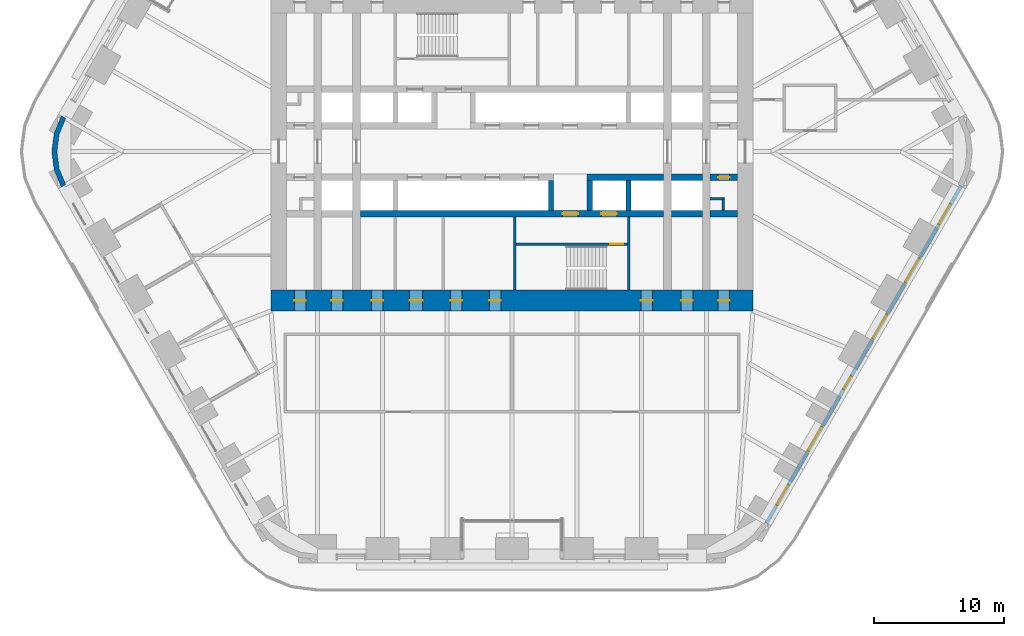
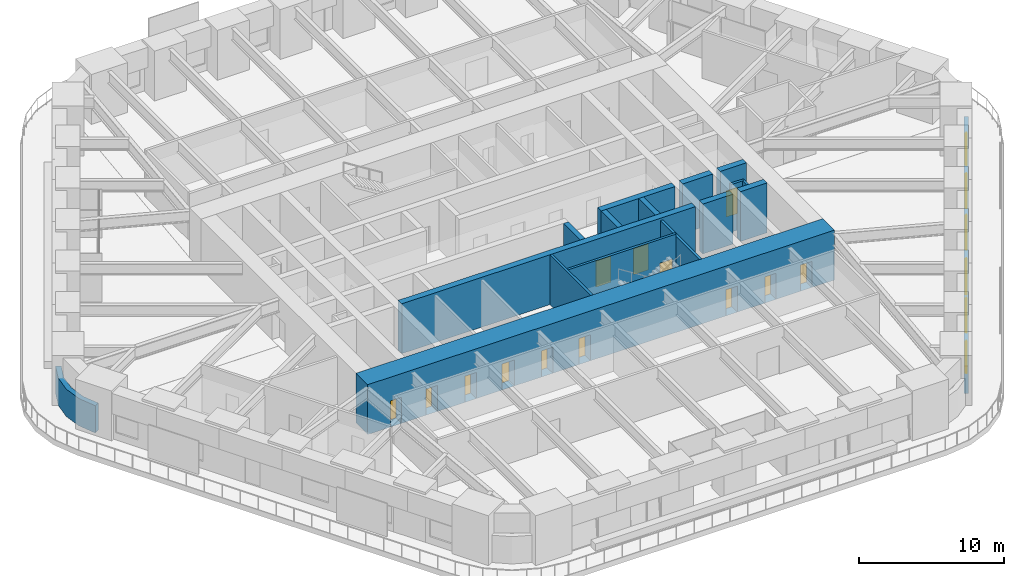
# One storey, part 18 of 24: 17 walls, 14 doors, 5 windows, 19 openings.
"""IFC4 building model written with IfcOpenShell, lengths in metres."""

from ifc_helpers import new_model, si_unit, direction, frame, frame_2d, origin, place, context, subcontext, project, spatial, polyline, rectangle, outline, extrude, material, layer, layer_set, type_object, element, fill, save


model = new_model("IFC4")

# Units and contexts
model_context = context("Model", 3, precision=1e-05, world=origin(), true_north=direction((0.0, 1.0)))
body_context = subcontext(model_context, "Body", "Model", "MODEL_VIEW")
ifc_project = project(units=[si_unit("LENGTHUNIT", "METRE"), si_unit("AREAUNIT", "SQUARE_METRE"), si_unit("VOLUMEUNIT", "CUBIC_METRE"), si_unit("PLANEANGLEUNIT", "RADIAN"), si_unit("MASSUNIT", "GRAM", prefix="KILO")], contexts=[model_context])

# Site, building, storey
site_placement = place(None, origin())
site = spatial("IfcSite", under=ifc_project, at=site_placement, CompositionType="ELEMENT")
building_placement = place(site_placement, origin())
building = spatial("IfcBuilding", under=site, at=building_placement, Name="Tarfa Lantern Tower", CompositionType="ELEMENT")
storey_placement = place(building_placement, frame((0.0, 0.0, 119.5)))
storey = spatial("IfcBuildingStorey", under=building, at=storey_placement, Name="L26", CompositionType="ELEMENT", Elevation=119.5)

# Wall, openings, door, windows
ifc_material_1 = material(Name="Limestone cladding on blockwork", Category="masonry")
ifc_layer_1 = layer(ifc_material_1, 0.300048828125)
ifc_layer_set_1 = layer_set([ifc_layer_1], Name="EW1 STONE-CLAD WALL 300")
wall_type_1 = type_object("IfcWallType", Name="EW1 STONE-CLAD WALL 300", PredefinedType="SOLIDWALL", material=ifc_layer_set_1)
wall_1_placement = place(storey_placement, frame((19.644287109375, -28.675048828125, 0.0), z_axis=(0.0, 0.0, 1.0), x_axis=(0.500003084452, 0.866023622968, 0.0)))
wall_1 = element("IfcWall", 1, at=wall_1_placement, inside=storey, type_object=wall_type_1, Name="Stone wall SE", PredefinedType="SOLIDWALL", context=body_context, shape_type="SweptSolid", body=[
    extrude(rectangle(XDim=30.022216796875, YDim=0.300048828125, at=frame_2d((15.01123046875, 0.0))), origin(), (0.0, 0.0, 1.0), 2.300048828125),
])
opening_1_placement = place(wall_1_placement, frame((1.601806640625, 0.0, 0.60009765625)))
opening_1 = element("IfcOpeningElement", 2, at=opening_1_placement, cuts=wall_1, Name="Opening W6", PredefinedType="OPENING", context=body_context, shape_type="SweptSolid", body=[
    extrude(rectangle(XDim=1.800048828125, YDim=1.449951171875, at=frame_2d((0.89990234375, 0.72509765625))), frame((0.0, 0.159912109375, 0.0), z_axis=(0.0, -1.0, 0.0), x_axis=(1.0, 0.0, 0.0)), (0.0, 0.0, 1.0), 0.320068359375),
])
opening_2_placement = place(wall_1_placement, frame((6.4306640625, 0.0, 0.60009765625)))
opening_2 = element("IfcOpeningElement", 3, at=opening_2_placement, cuts=wall_1, Name="Opening W7", PredefinedType="OPENING", context=body_context, shape_type="SweptSolid", body=[
    extrude(rectangle(XDim=2.14990234375, YDim=1.449951171875, at=frame_2d((1.074951171875, 0.72509765625))), frame((0.0, 0.159912109375, 0.0), z_axis=(0.0, -1.0, 0.0), x_axis=(1.0, 0.0, 0.0)), (0.0, 0.0, 1.0), 0.320068359375),
])
opening_3_placement = place(wall_1_placement, frame((11.9091796875, 0.0, 0.0)))
opening_3 = element("IfcOpeningElement", 4, at=opening_3_placement, cuts=wall_1, Name="Opening D44", PredefinedType="OPENING", context=body_context, shape_type="SweptSolid", body=[
    extrude(rectangle(XDim=1.199951171875, YDim=2.199951171875, at=frame_2d((0.60009765625, 1.10009765625))), frame((0.0, 0.159912109375, 0.0), z_axis=(0.0, -1.0, 0.0), x_axis=(1.0, 0.0, 0.0)), (0.0, 0.0, 1.0), 0.320068359375),
])
opening_4_placement = place(wall_1_placement, frame((16.43798828125, 0.0, 0.60009765625)))
opening_4 = element("IfcOpeningElement", 5, at=opening_4_placement, cuts=wall_1, Name="Opening W7", PredefinedType="OPENING", context=body_context, shape_type="SweptSolid", body=[
    extrude(rectangle(XDim=2.14990234375, YDim=1.449951171875, at=frame_2d((1.074951171875, 0.72509765625))), frame((0.0, 0.159912109375, 0.0), z_axis=(0.0, -1.0, 0.0), x_axis=(1.0, 0.0, 0.0)), (0.0, 0.0, 1.0), 0.320068359375),
])
opening_5_placement = place(wall_1_placement, frame((21.441650390625, 0.0, 0.60009765625)))
opening_5 = element("IfcOpeningElement", 6, at=opening_5_placement, cuts=wall_1, Name="Opening W7", PredefinedType="OPENING", context=body_context, shape_type="SweptSolid", body=[
    extrude(rectangle(XDim=2.14990234375, YDim=1.449951171875, at=frame_2d((1.074951171875, 0.72509765625))), frame((0.0, 0.159912109375, 0.0), z_axis=(0.0, -1.0, 0.0), x_axis=(1.0, 0.0, 0.0)), (0.0, 0.0, 1.0), 0.320068359375),
])
opening_6_placement = place(wall_1_placement, frame((26.620361328125, 0.0, 0.60009765625)))
opening_6 = element("IfcOpeningElement", 7, at=opening_6_placement, cuts=wall_1, Name="Opening W6", PredefinedType="OPENING", context=body_context, shape_type="SweptSolid", body=[
    extrude(rectangle(XDim=1.800048828125, YDim=1.449951171875, at=frame_2d((0.89990234375, 0.72509765625))), frame((0.0, 0.159912109375, 0.0), z_axis=(0.0, -1.0, 0.0), x_axis=(1.0, 0.0, 0.0)), (0.0, 0.0, 1.0), 0.320068359375),
])
ifc_material_2 = material(Name="Aluminium framed glazed door", Category="aluminium")
door_type_1 = type_object("IfcDoorType", Name="BE5 BALCONY DOOR 1200x2200", OperationType="SINGLE_SWING_RIGHT", PredefinedType="DOOR", material=ifc_material_2)
door_1_placement = place(opening_3_placement, origin())
door_1 = element("IfcDoor", 8, at=door_1_placement, inside=storey, type_object=door_type_1, Name="Balcony door SE", OperationType="SINGLE_SWING_RIGHT", OverallHeight=2.199951171875, OverallWidth=1.199951171875, PredefinedType="DOOR", context=body_context, shape_type="SweptSolid", body=[
    extrude(rectangle(XDim=1.199951171875, YDim=2.199951171875, at=frame_2d((0.60009765625, 1.10009765625))), frame((0.0, 0.02490234375, 0.0), z_axis=(0.0, -1.0, 0.0), x_axis=(1.0, 0.0, 0.0)), (0.0, 0.0, 1.0), 0.050048828125),
])
fill(opening_3, door_1)
ifc_material_3 = material(Name="Aluminium frame, double glazed", Category="aluminium")
window_type_1 = type_object("IfcWindowType", Name="W6 FULL-HEIGHT GLAZING 1800x1450", PartitioningType="SINGLE_PANEL", PredefinedType="WINDOW", material=ifc_material_3)
window_1_placement = place(opening_1_placement, origin())
window_1 = element("IfcWindow", 9, at=window_1_placement, inside=storey, type_object=window_type_1, Name="Window SE 1", OverallHeight=1.449951171875, OverallWidth=1.800048828125, PartitioningType="SINGLE_PANEL", PredefinedType="WINDOW", context=body_context, shape_type="SweptSolid", body=[
    extrude(rectangle(XDim=1.800048828125, YDim=1.449951171875, at=frame_2d((0.89990234375, 0.72509765625))), frame((0.0, 0.030029296875, 0.0), z_axis=(0.0, -1.0, 0.0), x_axis=(1.0, 0.0, 0.0)), (0.0, 0.0, 1.0), 0.06005859375),
])
fill(opening_1, window_1)
window_2_placement = place(opening_6_placement, origin())
window_2 = element("IfcWindow", 10, at=window_2_placement, inside=storey, type_object=window_type_1, Name="Window SE 6", OverallHeight=1.449951171875, OverallWidth=1.800048828125, PartitioningType="SINGLE_PANEL", PredefinedType="WINDOW", context=body_context, shape_type="SweptSolid", body=[
    extrude(rectangle(XDim=1.800048828125, YDim=1.449951171875, at=frame_2d((0.89990234375, 0.72509765625))), frame((0.0, 0.030029296875, 0.0), z_axis=(0.0, -1.0, 0.0), x_axis=(1.0, 0.0, 0.0)), (0.0, 0.0, 1.0), 0.06005859375),
])
fill(opening_6, window_2)
window_type_2 = type_object("IfcWindowType", Name="W7 FULL-HEIGHT GLAZING 2150x1450", PartitioningType="SINGLE_PANEL", PredefinedType="WINDOW", material=ifc_material_3)
window_3_placement = place(opening_2_placement, origin())
window_3 = element("IfcWindow", 11, at=window_3_placement, inside=storey, type_object=window_type_2, Name="Window SE 2", OverallHeight=1.449951171875, OverallWidth=2.14990234375, PartitioningType="SINGLE_PANEL", PredefinedType="WINDOW", context=body_context, shape_type="SweptSolid", body=[
    extrude(rectangle(XDim=2.14990234375, YDim=1.449951171875, at=frame_2d((1.074951171875, 0.72509765625))), frame((0.0, 0.030029296875, 0.0), z_axis=(0.0, -1.0, 0.0), x_axis=(1.0, 0.0, 0.0)), (0.0, 0.0, 1.0), 0.06005859375),
])
fill(opening_2, window_3)
window_4_placement = place(opening_4_placement, origin())
window_4 = element("IfcWindow", 12, at=window_4_placement, inside=storey, type_object=window_type_2, Name="Window SE 4", OverallHeight=1.449951171875, OverallWidth=2.14990234375, PartitioningType="SINGLE_PANEL", PredefinedType="WINDOW", context=body_context, shape_type="SweptSolid", body=[
    extrude(rectangle(XDim=2.14990234375, YDim=1.449951171875, at=frame_2d((1.074951171875, 0.72509765625))), frame((0.0, 0.030029296875, 0.0), z_axis=(0.0, -1.0, 0.0), x_axis=(1.0, 0.0, 0.0)), (0.0, 0.0, 1.0), 0.06005859375),
])
fill(opening_4, window_4)
window_5_placement = place(opening_5_placement, origin())
window_5 = element("IfcWindow", 13, at=window_5_placement, inside=storey, type_object=window_type_2, Name="Window SE 5", OverallHeight=1.449951171875, OverallWidth=2.14990234375, PartitioningType="SINGLE_PANEL", PredefinedType="WINDOW", context=body_context, shape_type="SweptSolid", body=[
    extrude(rectangle(XDim=2.14990234375, YDim=1.449951171875, at=frame_2d((1.074951171875, 0.72509765625))), frame((0.0, 0.030029296875, 0.0), z_axis=(0.0, -1.0, 0.0), x_axis=(1.0, 0.0, 0.0)), (0.0, 0.0, 1.0), 0.06005859375),
])
fill(opening_5, window_5)

# Walls
ifc_layer_2 = layer(ifc_material_1, 0.39990234375)
ifc_layer_set_2 = layer_set([ifc_layer_2], Name="EW2 CURVED STONE CORNER 400")
wall_type_2 = type_object("IfcWallType", Name="EW2 CURVED STONE CORNER 400", PredefinedType="SOLIDWALL", material=ifc_layer_set_2)
wall_2_placement = place(storey_placement, origin())
element("IfcWall", 14, at=wall_2_placement, inside=storey, type_object=wall_type_2, Name="Stone corner NW-SW", PredefinedType="SOLIDWALL", context=body_context, shape_type="SweptSolid", body=[
    extrude(outline(polyline([(-34.785400390625, 2.75), (-35.334716796875, 1.423583984375), (-35.522216796875, 0.0), (-35.334716796875, -1.423583984375), (-34.785400390625, -2.75), (-34.43896484375, -2.550048828125), (-34.948486328125, -1.320068359375), (-35.122314453125, 0.0), (-34.948486328125, 1.320068359375), (-34.43896484375, 2.550048828125), (-34.785400390625, 2.75)])), origin(), (0.0, 0.0, 1.0), 2.300048828125),
])
ifc_material_4 = material(Name="Concrete blockwork", Category="masonry")
ifc_layer_3 = layer(ifc_material_4, 0.199951171875)
ifc_layer_set_3 = layer_set([ifc_layer_3], Name="IW1 BLOCKWORK PARTITION 200 EI 120")
wall_type_3 = type_object("IfcWallType", Name="IW1 BLOCKWORK PARTITION 200 EI 120", PredefinedType="PARTITIONING", material=ifc_layer_set_3)
wall_3_placement = place(storey_placement, frame((9.0, -5.050048828125, 0.0), z_axis=(0.0, 0.0, 1.0), x_axis=(0.0, -1.0, 0.0)))
element("IfcWall", 15, at=wall_3_placement, inside=storey, type_object=wall_type_3, Name="Core partition", PredefinedType="PARTITIONING", context=body_context, shape_type="SweptSolid", body=[
    extrude(rectangle(XDim=5.64990234375, YDim=0.199951171875, at=frame_2d((2.824951171875, 0.0))), origin(), (0.0, 0.0, 1.0), 4.0),
])
for number, where, z_axis, x_axis, name in (
    (16, (16.300048828125, -3.64990234375, 0.0), (0.0, 0.0, 1.0), (-1.0, 0.0, 0.0), "Core partition"),
    (17, (16.300048828125, -3.550048828125, 0.0), (0.0, 0.0, 1.0), (0.0, -1.0, 0.0), "Core partition"),
):
    element("IfcWall", number, at=place(storey_placement, frame(where, z_axis=z_axis, x_axis=x_axis)), inside=storey, type_object=wall_type_3, Name=name, PredefinedType="PARTITIONING", context=body_context, shape_type="SweptSolid", body=[
        extrude(rectangle(XDim=1.0, YDim=0.199951171875, at=frame_2d((0.5, 0.0))), origin(), (0.0, 0.0, 1.0), 4.0),
    ])
ifc_material_5 = material(Name="Concrete C80/95", Category="concrete")
ifc_layer_4 = layer(ifc_material_5, 0.199951171875)
ifc_layer_set_4 = layer_set([ifc_layer_4], Name="SW12 CORE WALL 200")
wall_type_4 = type_object("IfcWallType", Name="SW12 CORE WALL 200", PredefinedType="SHEAR", material=ifc_layer_set_4)
wall_4_placement = place(storey_placement, frame((0.199951171875, -5.050048828125, 0.0), z_axis=(0.0, 0.0, 1.0), x_axis=(0.0, -1.0, 0.0)))
element("IfcWall", 18, at=wall_4_placement, inside=storey, type_object=wall_type_4, Name="Core wall stair shaft S", PredefinedType="SHEAR", context=body_context, shape_type="SweptSolid", body=[
    extrude(rectangle(XDim=5.64990234375, YDim=0.199951171875, at=frame_2d((2.824951171875, 0.0))), origin(), (0.0, 0.0, 1.0), 4.199951171875),
])

# Wall, opening, door
wall_5_placement = place(storey_placement, frame((8.89990234375, -7.14990234375, 0.0), z_axis=(0.0, 0.0, 1.0), x_axis=(-1.0, 0.0, 0.0)))
wall_5 = element("IfcWall", 19, at=wall_5_placement, inside=storey, type_object=wall_type_4, Name="Core wall stair partition S", PredefinedType="SHEAR", context=body_context, shape_type="SweptSolid", body=[
    extrude(rectangle(XDim=8.599853515625, YDim=0.199951171875, at=frame_2d((4.2998046875, 0.0))), origin(), (0.0, 0.0, 1.0), 4.199951171875),
])
opening_7_placement = place(wall_5_placement, frame((0.300048828125, 0.0, 0.0)))
opening_7 = element("IfcOpeningElement", 20, at=opening_7_placement, cuts=wall_5, Name="Opening D28", PredefinedType="OPENING", context=body_context, shape_type="SweptSolid", body=[
    extrude(rectangle(XDim=1.0, YDim=2.199951171875, at=frame_2d((0.5, 1.10009765625))), frame((0.0, 0.10986328125, 0.0), z_axis=(0.0, -1.0, 0.0), x_axis=(1.0, 0.0, 0.0)), (0.0, 0.0, 1.0), 0.219970703125),
])
ifc_material_6 = material(Name="Steel fire door", Category="steel")
door_type_2 = type_object("IfcDoorType", Name="DF2 STAIR DOOR 1000x2200", OperationType="SINGLE_SWING_LEFT", PredefinedType="DOOR", material=ifc_material_6)
door_2_placement = place(opening_7_placement, origin())
door_2 = element("IfcDoor", 21, at=door_2_placement, inside=storey, type_object=door_type_2, Name="Stair door", OperationType="SINGLE_SWING_RIGHT", OverallHeight=2.199951171875, OverallWidth=1.0, PredefinedType="DOOR", context=body_context, shape_type="SweptSolid", body=[
    extrude(rectangle(XDim=1.0, YDim=2.199951171875, at=frame_2d((0.5, 1.10009765625))), frame((0.0, 0.02490234375, 0.0), z_axis=(0.0, -1.0, 0.0), x_axis=(1.0, 0.0, 0.0)), (0.0, 0.0, 1.0), 0.050048828125),
])
fill(opening_7, door_2)

ifc_layer_5 = layer(ifc_material_5, 0.5)
ifc_layer_set_5 = layer_set([ifc_layer_5], Name="SW5 CORE WALL 500")
wall_type_5 = type_object("IfcWallType", Name="SW5 CORE WALL 500", PredefinedType="SHEAR", material=ifc_layer_set_5)
wall_6_placement = place(storey_placement, frame((17.39990234375, -2.0, 0.0), z_axis=(0.0, 0.0, 1.0), x_axis=(-1.0, 0.0, 0.0)))
wall_6 = element("IfcWall", 22, at=wall_6_placement, inside=storey, type_object=wall_type_5, Name="Core wall lobby west S", PredefinedType="SHEAR", context=body_context, shape_type="SweptSolid", body=[
    extrude(rectangle(XDim=2.099853515625, YDim=0.5, at=frame_2d((1.0498046875, 0.0))), origin(), (0.0, 0.0, 1.0), 4.199951171875),
])
opening_8_placement = place(wall_6_placement, frame((0.60009765625, 0.0, 0.0)))
opening_8 = element("IfcOpeningElement", 23, at=opening_8_placement, cuts=wall_6, Name="Opening D20", PredefinedType="OPENING", context=body_context, shape_type="SweptSolid", body=[
    extrude(rectangle(XDim=0.89990234375, YDim=2.199951171875, at=frame_2d((0.449951171875, 1.10009765625))), frame((0.0, 0.260009765625, 0.0), z_axis=(0.0, -1.0, 0.0), x_axis=(1.0, 0.0, 0.0)), (0.0, 0.0, 1.0), 0.52001953125),
])
door_type_3 = type_object("IfcDoorType", Name="DF6 SERVICE ROOM DOOR 900x2200", OperationType="SINGLE_SWING_LEFT", PredefinedType="DOOR", material=ifc_material_6)
door_3_placement = place(opening_8_placement, origin())
door_3 = element("IfcDoor", 24, at=door_3_placement, inside=storey, type_object=door_type_3, Name="Service room door", OperationType="SINGLE_SWING_LEFT", OverallHeight=2.199951171875, OverallWidth=0.89990234375, PredefinedType="DOOR", context=body_context, shape_type="SweptSolid", body=[
    extrude(rectangle(XDim=0.89990234375, YDim=2.199951171875, at=frame_2d((0.449951171875, 1.10009765625))), frame((0.0, 0.02490234375, 0.0), z_axis=(0.0, -1.0, 0.0), x_axis=(1.0, 0.0, 0.0)), (0.0, 0.0, 1.0), 0.050048828125),
])
fill(opening_8, door_3)

# Walls
wall_7_placement = place(storey_placement, frame((14.699951171875, -2.0, 0.0), z_axis=(0.0, 0.0, 1.0), x_axis=(-1.0, 0.0, 0.0)))
element("IfcWall", 25, at=wall_7_placement, inside=storey, type_object=wall_type_5, Name="Core wall lobby west S", PredefinedType="SHEAR", context=body_context, shape_type="SweptSolid", body=[
    extrude(rectangle(XDim=2.39990234375, YDim=0.5, at=frame_2d((1.199951171875, 0.0))), origin(), (0.0, 0.0, 1.0), 4.199951171875),
])
wall_8_placement = place(storey_placement, frame((11.699951171875, -2.0, 0.0), z_axis=(0.0, 0.0, 1.0), x_axis=(-1.0, 0.0, 0.0)))
element("IfcWall", 26, at=wall_8_placement, inside=storey, type_object=wall_type_5, Name="Core wall lobby west S", PredefinedType="SHEAR", context=body_context, shape_type="SweptSolid", body=[
    extrude(rectangle(XDim=5.89990234375, YDim=0.5, at=frame_2d((2.949951171875, 0.0))), origin(), (0.0, 0.0, 1.0), 4.199951171875),
])
wall_9_placement = place(storey_placement, frame((17.39990234375, -4.800048828125, 0.0), z_axis=(0.0, 0.0, 1.0), x_axis=(-1.0, 0.0, 0.0)))
element("IfcWall", 27, at=wall_9_placement, inside=storey, type_object=wall_type_5, Name="Core wall rear S", PredefinedType="SHEAR", context=body_context, shape_type="SweptSolid", body=[
    extrude(rectangle(XDim=2.099853515625, YDim=0.5, at=frame_2d((1.0498046875, 0.0))), origin(), (0.0, 0.0, 1.0), 4.199951171875),
])
wall_10_placement = place(storey_placement, frame((14.699951171875, -4.800048828125, 0.0), z_axis=(0.0, 0.0, 1.0), x_axis=(-1.0, 0.0, 0.0)))
element("IfcWall", 28, at=wall_10_placement, inside=storey, type_object=wall_type_5, Name="Core wall rear S", PredefinedType="SHEAR", context=body_context, shape_type="SweptSolid", body=[
    extrude(rectangle(XDim=2.39990234375, YDim=0.5, at=frame_2d((1.199951171875, 0.0))), origin(), (0.0, 0.0, 1.0), 4.199951171875),
])

# Wall, openings, doors
wall_11_placement = place(storey_placement, frame((11.699951171875, -4.800048828125, 0.0), z_axis=(0.0, 0.0, 1.0), x_axis=(-1.0, 0.0, 0.0)))
wall_11 = element("IfcWall", 29, at=wall_11_placement, inside=storey, type_object=wall_type_5, Name="Core wall rear S", PredefinedType="SHEAR", context=body_context, shape_type="SweptSolid", body=[
    extrude(rectangle(XDim=23.39990234375, YDim=0.5, at=frame_2d((11.699951171875, 0.0))), origin(), (0.0, 0.0, 1.0), 4.199951171875),
])
opening_9_placement = place(wall_11_placement, frame((6.60009765625, 0.0, 0.0)))
opening_9 = element("IfcOpeningElement", 30, at=opening_9_placement, cuts=wall_11, Name="Opening D14", PredefinedType="OPENING", context=body_context, shape_type="SweptSolid", body=[
    extrude(rectangle(XDim=1.199951171875, YDim=2.199951171875, at=frame_2d((0.60009765625, 1.10009765625))), frame((0.0, 0.260009765625, 0.0), z_axis=(0.0, -1.0, 0.0), x_axis=(1.0, 0.0, 0.0)), (0.0, 0.0, 1.0), 0.52001953125),
])
opening_10_placement = place(wall_11_placement, frame((3.60009765625, 0.0, 0.0)))
opening_10 = element("IfcOpeningElement", 31, at=opening_10_placement, cuts=wall_11, Name="Opening LD02", PredefinedType="OPENING", context=body_context, shape_type="SweptSolid", body=[
    extrude(rectangle(XDim=1.199951171875, YDim=2.199951171875, at=frame_2d((0.60009765625, 1.10009765625))), frame((0.0, 0.260009765625, 0.0), z_axis=(0.0, -1.0, 0.0), x_axis=(1.0, 0.0, 0.0)), (0.0, 0.0, 1.0), 0.52001953125),
])
door_type_4 = type_object("IfcDoorType", Name="DF1 FIREFIGHTING LOBBY DOOR 1200x2200", OperationType="SINGLE_SWING_LEFT", PredefinedType="DOOR", material=ifc_material_6)
door_4_placement = place(opening_9_placement, origin())
door_4 = element("IfcDoor", 32, at=door_4_placement, inside=storey, type_object=door_type_4, Name="Firefighting lobby door", OperationType="SINGLE_SWING_LEFT", OverallHeight=2.199951171875, OverallWidth=1.199951171875, PredefinedType="DOOR", context=body_context, shape_type="SweptSolid", body=[
    extrude(rectangle(XDim=1.199951171875, YDim=2.199951171875, at=frame_2d((0.60009765625, 1.10009765625))), frame((0.0, 0.02490234375, 0.0), z_axis=(0.0, -1.0, 0.0), x_axis=(1.0, 0.0, 0.0)), (0.0, 0.0, 1.0), 0.050048828125),
])
fill(opening_9, door_4)
ifc_material_7 = material(Name="Stainless steel lift door", Category="steel")
door_type_5 = type_object("IfcDoorType", Name="LD1 LIFT LANDING DOOR 1200x2200", OperationType="SLIDING_TO_LEFT", PredefinedType="DOOR", material=ifc_material_7)
door_5_placement = place(opening_10_placement, origin())
door_5 = element("IfcDoor", 33, at=door_5_placement, inside=storey, type_object=door_type_5, Name="Landing door FL2", OperationType="SLIDING_TO_LEFT", OverallHeight=2.199951171875, OverallWidth=1.199951171875, PredefinedType="DOOR", context=body_context, shape_type="SweptSolid", body=[
    extrude(rectangle(XDim=1.199951171875, YDim=2.199951171875, at=frame_2d((0.60009765625, 1.10009765625))), frame((0.0, 0.02490234375, 0.0), z_axis=(0.0, -1.0, 0.0), x_axis=(1.0, 0.0, 0.0)), (0.0, 0.0, 1.0), 0.050048828125),
])
fill(opening_10, door_5)

# Walls
ifc_layer_6 = layer(ifc_material_5, 0.39990234375)
ifc_layer_set_6 = layer_set([ifc_layer_6], Name="SW6 CORE WALL 400")
wall_type_6 = type_object("IfcWallType", Name="SW6 CORE WALL 400", PredefinedType="SHEAR", material=ifc_layer_set_6)
for number, where, z_axis, x_axis, name in (
    (34, (9.0, -2.25, 0.0), (0.0, 0.0, 1.0), (0.0, -1.0, 0.0), "Core wall divider S"),
    (35, (6.0, -2.25, 0.0), (0.0, 0.0, 1.0), (0.0, -1.0, 0.0), "Core wall divider S"),
    (36, (3.0, -2.25, 0.0), (0.0, 0.0, 1.0), (0.0, -1.0, 0.0), "Core wall divider S"),
):
    element("IfcWall", number, at=place(storey_placement, frame(where, z_axis=z_axis, x_axis=x_axis)), inside=storey, type_object=wall_type_6, Name=name, PredefinedType="SHEAR", context=body_context, shape_type="SweptSolid", body=[
        extrude(rectangle(XDim=2.300048828125, YDim=0.39990234375, at=frame_2d((1.14990234375, 0.0))), origin(), (0.0, 0.0, 1.0), 4.199951171875),
    ])

# Wall, openings, doors
ifc_layer_7 = layer(ifc_material_5, 1.60009765625)
ifc_layer_set_7 = layer_set([ifc_layer_7], Name="SW7 CORE WALL 1600")
wall_type_7 = type_object("IfcWallType", Name="SW7 CORE WALL 1600", PredefinedType="SHEAR", material=ifc_layer_set_7)
wall_12_placement = place(storey_placement, frame((18.60009765625, -11.5, 0.0), z_axis=(0.0, 0.0, 1.0), x_axis=(-1.0, 0.0, 0.0)))
wall_12 = element("IfcWall", 37, at=wall_12_placement, inside=storey, type_object=wall_type_7, Name="Core wall S", PredefinedType="SHEAR", context=body_context, shape_type="SweptSolid", body=[
    extrude(rectangle(XDim=37.2001953125, YDim=1.60009765625, at=frame_2d((18.60009765625, 0.0))), origin(), (0.0, 0.0, 1.0), 4.199951171875),
])
opening_11_placement = place(wall_12_placement, frame((19.449951171875, 0.0, 0.0)))
opening_11 = element("IfcOpeningElement", 38, at=opening_11_placement, cuts=wall_12, Name="Opening D22", PredefinedType="OPENING", context=body_context, shape_type="SweptSolid", body=[
    extrude(rectangle(XDim=0.89990234375, YDim=2.199951171875, at=frame_2d((0.449951171875, 1.10009765625))), frame((0.0, 0.81005859375, 0.0), z_axis=(0.0, -1.0, 0.0), x_axis=(1.0, 0.0, 0.0)), (0.0, 0.0, 1.0), 1.6201171875),
])
opening_12_placement = place(wall_12_placement, frame((22.449951171875, 0.0, 0.0)))
opening_12 = element("IfcOpeningElement", 39, at=opening_12_placement, cuts=wall_12, Name="Opening D24", PredefinedType="OPENING", context=body_context, shape_type="SweptSolid", body=[
    extrude(rectangle(XDim=0.89990234375, YDim=2.199951171875, at=frame_2d((0.449951171875, 1.10009765625))), frame((0.0, 0.81005859375, 0.0), z_axis=(0.0, -1.0, 0.0), x_axis=(1.0, 0.0, 0.0)), (0.0, 0.0, 1.0), 1.6201171875),
])
opening_13_placement = place(wall_12_placement, frame((25.5, 0.0, 0.0)))
opening_13 = element("IfcOpeningElement", 40, at=opening_13_placement, cuts=wall_12, Name="Opening D26", PredefinedType="OPENING", context=body_context, shape_type="SweptSolid", body=[
    extrude(rectangle(XDim=1.0, YDim=2.199951171875, at=frame_2d((0.5, 1.10009765625))), frame((0.0, 0.81005859375, 0.0), z_axis=(0.0, -1.0, 0.0), x_axis=(1.0, 0.0, 0.0)), (0.0, 0.0, 1.0), 1.6201171875),
])
opening_14_placement = place(wall_12_placement, frame((1.800048828125, 0.0, 0.0)))
opening_14 = element("IfcOpeningElement", 41, at=opening_14_placement, cuts=wall_12, Name="Opening D12", PredefinedType="OPENING", context=body_context, shape_type="SweptSolid", body=[
    extrude(rectangle(XDim=0.89990234375, YDim=2.199951171875, at=frame_2d((0.449951171875, 1.10009765625))), frame((0.0, 0.81005859375, 0.0), z_axis=(0.0, -1.0, 0.0), x_axis=(1.0, 0.0, 0.0)), (0.0, 0.0, 1.0), 1.6201171875),
])
opening_15_placement = place(wall_12_placement, frame((4.64990234375, 0.0, 0.0)))
opening_15 = element("IfcOpeningElement", 42, at=opening_15_placement, cuts=wall_12, Name="Opening D08", PredefinedType="OPENING", context=body_context, shape_type="SweptSolid", body=[
    extrude(rectangle(XDim=0.89990234375, YDim=2.199951171875, at=frame_2d((0.449951171875, 1.10009765625))), frame((0.0, 0.81005859375, 0.0), z_axis=(0.0, -1.0, 0.0), x_axis=(1.0, 0.0, 0.0)), (0.0, 0.0, 1.0), 1.6201171875),
])
opening_16_placement = place(wall_12_placement, frame((7.75, 0.0, 0.0)))
opening_16 = element("IfcOpeningElement", 43, at=opening_16_placement, cuts=wall_12, Name="Opening D10", PredefinedType="OPENING", context=body_context, shape_type="SweptSolid", body=[
    extrude(rectangle(XDim=0.89990234375, YDim=2.199951171875, at=frame_2d((0.449951171875, 1.10009765625))), frame((0.0, 0.81005859375, 0.0), z_axis=(0.0, -1.0, 0.0), x_axis=(1.0, 0.0, 0.0)), (0.0, 0.0, 1.0), 1.6201171875),
])
opening_17_placement = place(wall_12_placement, frame((28.550048828125, 0.0, 0.0)))
opening_17 = element("IfcOpeningElement", 44, at=opening_17_placement, cuts=wall_12, Name="Opening D06", PredefinedType="OPENING", context=body_context, shape_type="SweptSolid", body=[
    extrude(rectangle(XDim=0.89990234375, YDim=2.199951171875, at=frame_2d((0.449951171875, 1.10009765625))), frame((0.0, 0.81005859375, 0.0), z_axis=(0.0, -1.0, 0.0), x_axis=(1.0, 0.0, 0.0)), (0.0, 0.0, 1.0), 1.6201171875),
])
opening_18_placement = place(wall_12_placement, frame((31.64990234375, 0.0, 0.0)))
opening_18 = element("IfcOpeningElement", 45, at=opening_18_placement, cuts=wall_12, Name="Opening D02", PredefinedType="OPENING", context=body_context, shape_type="SweptSolid", body=[
    extrude(rectangle(XDim=0.89990234375, YDim=2.199951171875, at=frame_2d((0.449951171875, 1.10009765625))), frame((0.0, 0.81005859375, 0.0), z_axis=(0.0, -1.0, 0.0), x_axis=(1.0, 0.0, 0.0)), (0.0, 0.0, 1.0), 1.6201171875),
])
opening_19_placement = place(wall_12_placement, frame((34.5, 0.0, 0.0)))
opening_19 = element("IfcOpeningElement", 46, at=opening_19_placement, cuts=wall_12, Name="Opening D04", PredefinedType="OPENING", context=body_context, shape_type="SweptSolid", body=[
    extrude(rectangle(XDim=0.89990234375, YDim=2.199951171875, at=frame_2d((0.449951171875, 1.10009765625))), frame((0.0, 0.81005859375, 0.0), z_axis=(0.0, -1.0, 0.0), x_axis=(1.0, 0.0, 0.0)), (0.0, 0.0, 1.0), 1.6201171875),
])
door_type_6 = type_object("IfcDoorType", Name="DF3 CORE ROOM DOOR 900x2200", OperationType="SINGLE_SWING_LEFT", PredefinedType="DOOR", material=ifc_material_6)
door_6_placement = place(opening_11_placement, frame((0.89990234375, 0.0, 0.0), z_axis=(0.0, 0.0, 1.0), x_axis=(-1.0, 0.0, 0.0)))
door_6 = element("IfcDoor", 47, at=door_6_placement, inside=storey, type_object=door_type_6, Name="Core door", OperationType="SINGLE_SWING_LEFT", OverallHeight=2.199951171875, OverallWidth=0.89990234375, PredefinedType="DOOR", context=body_context, shape_type="SweptSolid", body=[
    extrude(rectangle(XDim=0.89990234375, YDim=2.199951171875, at=frame_2d((0.449951171875, 1.10009765625))), frame((0.0, 0.02490234375, 0.0), z_axis=(0.0, -1.0, 0.0), x_axis=(1.0, 0.0, 0.0)), (0.0, 0.0, 1.0), 0.050048828125),
])
fill(opening_11, door_6)
door_7_placement = place(opening_12_placement, frame((0.89990234375, 0.0, 0.0), z_axis=(0.0, 0.0, 1.0), x_axis=(-1.0, 0.0, 0.0)))
door_7 = element("IfcDoor", 48, at=door_7_placement, inside=storey, type_object=door_type_6, Name="Core door", OperationType="SINGLE_SWING_RIGHT", OverallHeight=2.199951171875, OverallWidth=0.89990234375, PredefinedType="DOOR", context=body_context, shape_type="SweptSolid", body=[
    extrude(rectangle(XDim=0.89990234375, YDim=2.199951171875, at=frame_2d((0.449951171875, 1.10009765625))), frame((0.0, 0.02490234375, 0.0), z_axis=(0.0, -1.0, 0.0), x_axis=(1.0, 0.0, 0.0)), (0.0, 0.0, 1.0), 0.050048828125),
])
fill(opening_12, door_7)
door_type_7 = type_object("IfcDoorType", Name="DF4 CORE ROOM DOOR 1000x2200", OperationType="SINGLE_SWING_LEFT", PredefinedType="DOOR", material=ifc_material_6)
door_8_placement = place(opening_13_placement, frame((1.0, 0.0, 0.0), z_axis=(0.0, 0.0, 1.0), x_axis=(-1.0, 0.0, 0.0)))
door_8 = element("IfcDoor", 49, at=door_8_placement, inside=storey, type_object=door_type_7, Name="Core door", OperationType="SINGLE_SWING_RIGHT", OverallHeight=2.199951171875, OverallWidth=1.0, PredefinedType="DOOR", context=body_context, shape_type="SweptSolid", body=[
    extrude(rectangle(XDim=1.0, YDim=2.199951171875, at=frame_2d((0.5, 1.10009765625))), frame((0.0, 0.02490234375, 0.0), z_axis=(0.0, -1.0, 0.0), x_axis=(1.0, 0.0, 0.0)), (0.0, 0.0, 1.0), 0.050048828125),
])
fill(opening_13, door_8)
door_type_8 = type_object("IfcDoorType", Name="DF5 RISER DOOR 900x2200", OperationType="SINGLE_SWING_LEFT", PredefinedType="DOOR", material=ifc_material_6)
door_9_placement = place(opening_14_placement, frame((0.89990234375, 0.0, 0.0), z_axis=(0.0, 0.0, 1.0), x_axis=(-1.0, 0.0, 0.0)))
door_9 = element("IfcDoor", 50, at=door_9_placement, inside=storey, type_object=door_type_8, Name="Riser door", OperationType="SINGLE_SWING_LEFT", OverallHeight=2.199951171875, OverallWidth=0.89990234375, PredefinedType="DOOR", context=body_context, shape_type="SweptSolid", body=[
    extrude(rectangle(XDim=0.89990234375, YDim=2.199951171875, at=frame_2d((0.449951171875, 1.10009765625))), frame((0.0, 0.02490234375, 0.0), z_axis=(0.0, -1.0, 0.0), x_axis=(1.0, 0.0, 0.0)), (0.0, 0.0, 1.0), 0.050048828125),
])
fill(opening_14, door_9)
door_10_placement = place(opening_15_placement, frame((0.89990234375, 0.0, 0.0), z_axis=(0.0, 0.0, 1.0), x_axis=(-1.0, 0.0, 0.0)))
door_10 = element("IfcDoor", 51, at=door_10_placement, inside=storey, type_object=door_type_8, Name="Riser door", OperationType="SINGLE_SWING_LEFT", OverallHeight=2.199951171875, OverallWidth=0.89990234375, PredefinedType="DOOR", context=body_context, shape_type="SweptSolid", body=[
    extrude(rectangle(XDim=0.89990234375, YDim=2.199951171875, at=frame_2d((0.449951171875, 1.10009765625))), frame((0.0, 0.02490234375, 0.0), z_axis=(0.0, -1.0, 0.0), x_axis=(1.0, 0.0, 0.0)), (0.0, 0.0, 1.0), 0.050048828125),
])
fill(opening_15, door_10)
door_11_placement = place(opening_16_placement, frame((0.89990234375, 0.0, 0.0), z_axis=(0.0, 0.0, 1.0), x_axis=(-1.0, 0.0, 0.0)))
door_11 = element("IfcDoor", 52, at=door_11_placement, inside=storey, type_object=door_type_8, Name="Riser door", OperationType="SINGLE_SWING_LEFT", OverallHeight=2.199951171875, OverallWidth=0.89990234375, PredefinedType="DOOR", context=body_context, shape_type="SweptSolid", body=[
    extrude(rectangle(XDim=0.89990234375, YDim=2.199951171875, at=frame_2d((0.449951171875, 1.10009765625))), frame((0.0, 0.02490234375, 0.0), z_axis=(0.0, -1.0, 0.0), x_axis=(1.0, 0.0, 0.0)), (0.0, 0.0, 1.0), 0.050048828125),
])
fill(opening_16, door_11)
door_12_placement = place(opening_17_placement, frame((0.89990234375, 0.0, 0.0), z_axis=(0.0, 0.0, 1.0), x_axis=(-1.0, 0.0, 0.0)))
door_12 = element("IfcDoor", 53, at=door_12_placement, inside=storey, type_object=door_type_8, Name="Riser door", OperationType="SINGLE_SWING_RIGHT", OverallHeight=2.199951171875, OverallWidth=0.89990234375, PredefinedType="DOOR", context=body_context, shape_type="SweptSolid", body=[
    extrude(rectangle(XDim=0.89990234375, YDim=2.199951171875, at=frame_2d((0.449951171875, 1.10009765625))), frame((0.0, 0.02490234375, 0.0), z_axis=(0.0, -1.0, 0.0), x_axis=(1.0, 0.0, 0.0)), (0.0, 0.0, 1.0), 0.050048828125),
])
fill(opening_17, door_12)
door_13_placement = place(opening_18_placement, frame((0.89990234375, 0.0, 0.0), z_axis=(0.0, 0.0, 1.0), x_axis=(-1.0, 0.0, 0.0)))
door_13 = element("IfcDoor", 54, at=door_13_placement, inside=storey, type_object=door_type_8, Name="Riser door", OperationType="SINGLE_SWING_RIGHT", OverallHeight=2.199951171875, OverallWidth=0.89990234375, PredefinedType="DOOR", context=body_context, shape_type="SweptSolid", body=[
    extrude(rectangle(XDim=0.89990234375, YDim=2.199951171875, at=frame_2d((0.449951171875, 1.10009765625))), frame((0.0, 0.02490234375, 0.0), z_axis=(0.0, -1.0, 0.0), x_axis=(1.0, 0.0, 0.0)), (0.0, 0.0, 1.0), 0.050048828125),
])
fill(opening_18, door_13)
door_14_placement = place(opening_19_placement, frame((0.89990234375, 0.0, 0.0), z_axis=(0.0, 0.0, 1.0), x_axis=(-1.0, 0.0, 0.0)))
door_14 = element("IfcDoor", 55, at=door_14_placement, inside=storey, type_object=door_type_8, Name="Riser door", OperationType="SINGLE_SWING_RIGHT", OverallHeight=2.199951171875, OverallWidth=0.89990234375, PredefinedType="DOOR", context=body_context, shape_type="SweptSolid", body=[
    extrude(rectangle(XDim=0.89990234375, YDim=2.199951171875, at=frame_2d((0.449951171875, 1.10009765625))), frame((0.0, 0.02490234375, 0.0), z_axis=(0.0, -1.0, 0.0), x_axis=(1.0, 0.0, 0.0)), (0.0, 0.0, 1.0), 0.050048828125),
])
fill(opening_19, door_14)

save(model, "model.ifc")
